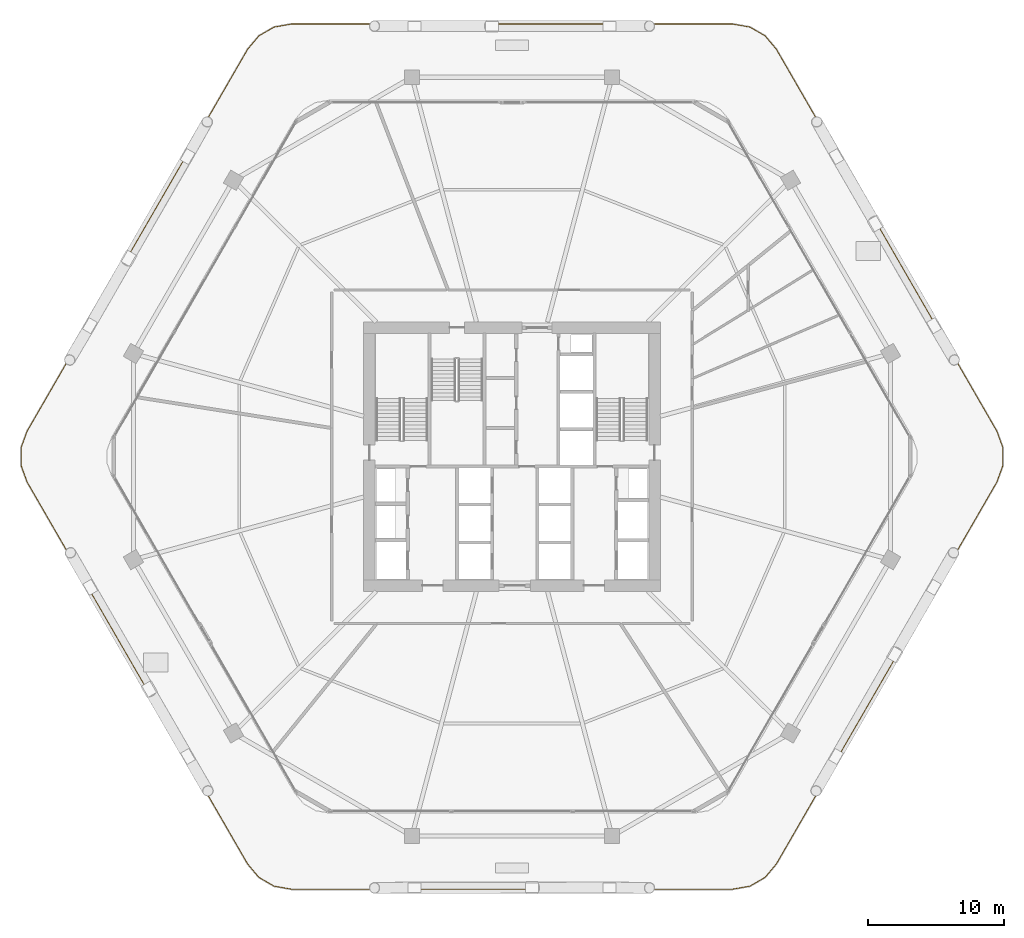
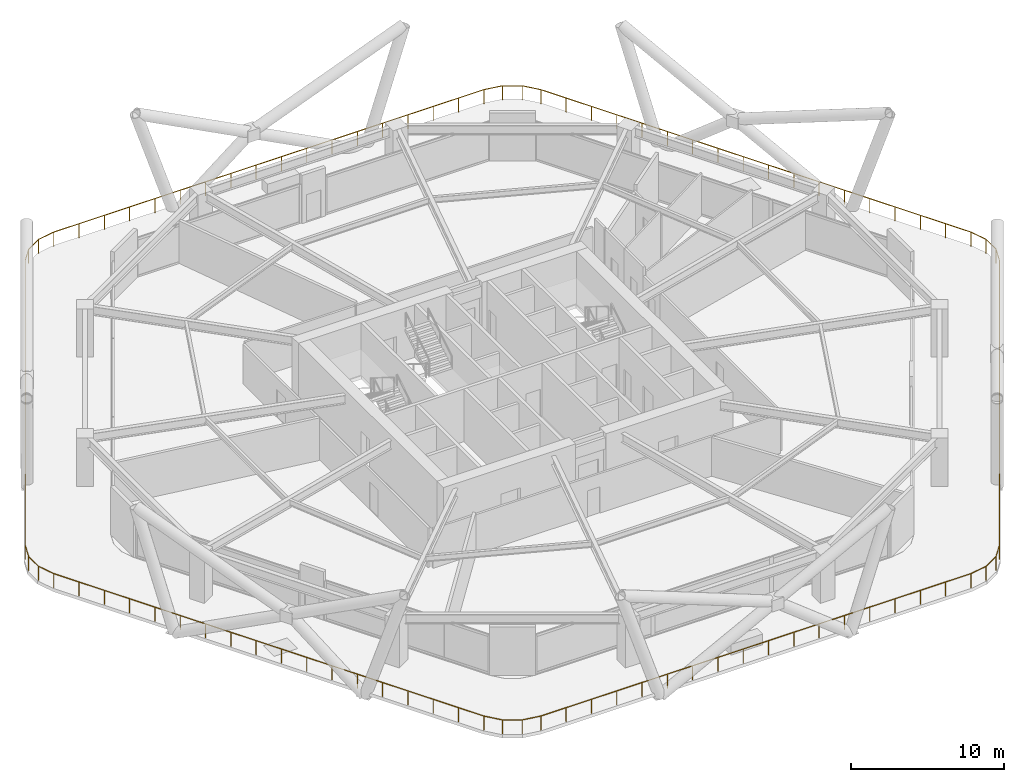
# One storey, part 27 of 28: 1 railing.
"""IFC4 building model written with IfcOpenShell, lengths in metres."""

from ifc_helpers import new_model, si_unit, direction, frame, origin, origin_2d, place, context, subcontext, project, spatial, rectangle, extrude, material, type_object, element, save


model = new_model("IFC4")

# Units and contexts
model_context = context("Model", 3, precision=1e-05, world=origin(), true_north=direction((0.0, 1.0)))
body_context = subcontext(model_context, "Body", "Model", "MODEL_VIEW")
ifc_project = project(units=[si_unit("LENGTHUNIT", "METRE"), si_unit("AREAUNIT", "SQUARE_METRE"), si_unit("VOLUMEUNIT", "CUBIC_METRE"), si_unit("PLANEANGLEUNIT", "RADIAN"), si_unit("MASSUNIT", "GRAM", prefix="KILO")], contexts=[model_context])

# Site, building, storey
site_placement = place(None, origin())
site = spatial("IfcSite", under=ifc_project, at=site_placement, CompositionType="ELEMENT")
building_placement = place(site_placement, origin())
building = spatial("IfcBuilding", under=site, at=building_placement, Name="Zuhravey Tower", CompositionType="ELEMENT")
storey_placement = place(building_placement, frame((0.0, 0.0, 83.39990234375)))
storey = spatial("IfcBuildingStorey", under=building, at=storey_placement, Name="L20", CompositionType="ELEMENT", Elevation=83.39990234375)

# Railing
ifc_material = material(Name="Stainless steel 316 and laminated glass", Category="steel")
railing_type = type_object("IfcRailingType", Name="Balcony & Terrace Guardrail 1150", PredefinedType="BALUSTRADE", material=ifc_material)
railing_placement = place(storey_placement, frame((71.72119140625, 30.1337890625, 0.0)))
element("IfcRailing", 1, at=railing_placement, inside=storey, type_object=railing_type, Name="L20 Sky-Garden Perimeter Guardrail GR1", PredefinedType="BALUSTRADE", context=body_context, shape_type="SweptSolid", body=[
    extrude(rectangle(XDim=0.048095703125, YDim=0.048095703125, at=origin_2d()), frame((-0.0009765625, -0.001708984375, 1.1259765625), z_axis=(-0.500003893723, -0.866023155731, 0.0), x_axis=(0.866023155731, -0.500003893723, 0.0)), (0.0, 0.0, 1.0), 32.485107421875),
    extrude(rectangle(XDim=0.048095703125, YDim=0.048095703125, at=origin_2d()), frame((-16.245849609375, -28.1376953125, 1.1259765625), z_axis=(-0.64275109358, -0.766075082287, 0.0), x_axis=(0.766075082287, -0.64275109358, 0.0)), (0.0, 0.0, 1.0), 1.294677734375),
    extrude(rectangle(XDim=0.048095703125, YDim=0.048095703125, at=origin_2d()), frame((-17.0810546875, -29.132080078125, 1.1259765625), z_axis=(-0.866012435707, -0.500022460696, 0.0), x_axis=(0.500022460696, -0.866012435707, 0.0)), (0.0, 0.0, 1.0), 1.287353515625),
    extrude(rectangle(XDim=0.048095703125, YDim=0.048095703125, at=origin_2d()), frame((-18.19970703125, -29.777099609375, 1.1259765625), z_axis=(-0.984832722441, -0.173506509413, 0.0), x_axis=(0.173506509413, -0.984832722441, 0.0)), (0.0, 0.0, 1.0), 1.294677734375),
    extrude(rectangle(XDim=0.048095703125, YDim=0.048095703125, at=origin_2d()), frame((-19.478759765625, -30.002197265625, 1.1259765625), z_axis=(-1.0, 0.0, 0.0), x_axis=(0.0, -1.0, 0.0)), (0.0, 0.0, 1.0), 32.48486328125),
    extrude(rectangle(XDim=0.048095703125, YDim=0.048095703125, at=origin_2d()), frame((-51.967529296875, -30.001953125, 1.1259765625), z_axis=(-0.984832722441, 0.173506509413, 0.0), x_axis=(-0.173506509413, -0.984832722441, 0.0)), (0.0, 0.0, 1.0), 1.294677734375),
    extrude(rectangle(XDim=0.048095703125, YDim=0.048095703125, at=origin_2d()), frame((-53.246337890625, -29.77587890625, 1.1259765625), z_axis=(-0.866012435707, 0.500022460696, 0.0), x_axis=(-0.500022460696, -0.866012435707, 0.0)), (0.0, 0.0, 1.0), 1.287353515625),
    extrude(rectangle(XDim=0.048095703125, YDim=0.048095703125, at=origin_2d()), frame((-54.3642578125, -29.129638671875, 1.1259765625), z_axis=(-0.64275109358, 0.766075082287, 0.0), x_axis=(-0.766075082287, -0.64275109358, 0.0)), (0.0, 0.0, 1.0), 1.294677734375),
    extrude(rectangle(XDim=0.048095703125, YDim=0.048095703125, at=origin_2d()), frame((-55.19873046875, -28.134521484375, 1.1259765625), z_axis=(-0.500003893723, 0.866023155731, 0.0), x_axis=(-0.866023155731, -0.500003893723, 0.0)), (0.0, 0.0, 1.0), 32.485107421875),
    extrude(rectangle(XDim=0.048095703125, YDim=0.048095703125, at=origin_2d()), frame((-71.443115234375, 0.001953125, 1.1259765625), z_axis=(-0.341939270434, 0.93972205217, 0.0), x_axis=(-0.93972205217, -0.341939270434, 0.0)), (0.0, 0.0, 1.0), 1.294677734375),
    extrude(rectangle(XDim=0.048095703125, YDim=0.048095703125, at=origin_2d()), frame((-71.886474609375, 1.222412109375, 1.1259765625), z_axis=(0.0, 1.0, 0.0), x_axis=(-1.0, 0.0, 0.0)), (0.0, 0.0, 1.0), 1.28759765625),
    extrude(rectangle(XDim=0.048095703125, YDim=0.048095703125, at=origin_2d()), frame((-71.8857421875, 2.513916015625, 1.1259765625), z_axis=(0.341939270434, 0.93972205217, 0.0), x_axis=(-0.93972205217, 0.341939270434, 0.0)), (0.0, 0.0, 1.0), 1.294677734375),
    extrude(rectangle(XDim=0.048095703125, YDim=0.048095703125, at=origin_2d()), frame((-71.44140625, 3.734130859375, 1.1259765625), z_axis=(0.500003893723, 0.866023155731, 0.0), x_axis=(-0.866023155731, 0.500003893723, 0.0)), (0.0, 0.0, 1.0), 32.485107421875),
    extrude(rectangle(XDim=0.048095703125, YDim=0.048095703125, at=origin_2d()), frame((-55.196533203125, 31.8701171875, 1.1259765625), z_axis=(0.64275109358, 0.766075082287, 0.0), x_axis=(-0.766075082287, 0.64275109358, 0.0)), (0.0, 0.0, 1.0), 1.294677734375),
    extrude(rectangle(XDim=0.048095703125, YDim=0.048095703125, at=origin_2d()), frame((-54.361328125, 32.864501953125, 1.1259765625), z_axis=(0.866012435707, 0.500022460696, 0.0), x_axis=(-0.500022460696, 0.866012435707, 0.0)), (0.0, 0.0, 1.0), 1.287353515625),
    extrude(rectangle(XDim=0.048095703125, YDim=0.048095703125, at=origin_2d()), frame((-53.24267578125, 33.509521484375, 1.1259765625), z_axis=(0.984832722441, 0.173506509413, 0.0), x_axis=(-0.173506509413, 0.984832722441, 0.0)), (0.0, 0.0, 1.0), 1.294677734375),
    extrude(rectangle(XDim=0.048095703125, YDim=0.048095703125, at=origin_2d()), frame((-51.963623046875, 33.734619140625, 1.1259765625), z_axis=(1.0, 0.0, 0.0), x_axis=(0.0, 1.0, 0.0)), (0.0, 0.0, 1.0), 32.48486328125),
    extrude(rectangle(XDim=0.048095703125, YDim=0.048095703125, at=origin_2d()), frame((-19.474853515625, 33.734375, 1.1259765625), z_axis=(0.984832722441, -0.173506509413, 0.0), x_axis=(0.173506509413, 0.984832722441, 0.0)), (0.0, 0.0, 1.0), 1.294677734375),
    extrude(rectangle(XDim=0.048095703125, YDim=0.048095703125, at=origin_2d()), frame((-18.196044921875, 33.50830078125, 1.1259765625), z_axis=(0.866012435707, -0.500022460696, 0.0), x_axis=(0.500022460696, 0.866012435707, 0.0)), (0.0, 0.0, 1.0), 1.287353515625),
    extrude(rectangle(XDim=0.048095703125, YDim=0.048095703125, at=origin_2d()), frame((-17.078125, 32.862060546875, 1.1259765625), z_axis=(0.64275109358, -0.766075082287, 0.0), x_axis=(0.766075082287, 0.64275109358, 0.0)), (0.0, 0.0, 1.0), 1.294677734375),
    extrude(rectangle(XDim=0.048095703125, YDim=0.048095703125, at=origin_2d()), frame((-16.24365234375, 31.866943359375, 1.1259765625), z_axis=(0.500003893723, -0.866023155731, 0.0), x_axis=(0.866023155731, 0.500003893723, 0.0)), (0.0, 0.0, 1.0), 32.485107421875),
    extrude(rectangle(XDim=0.048095703125, YDim=0.048095703125, at=origin_2d()), frame((0.000732421875, 3.73046875, 1.1259765625), z_axis=(0.341939270434, -0.93972205217, 0.0), x_axis=(0.93972205217, 0.341939270434, 0.0)), (0.0, 0.0, 1.0), 1.294677734375),
    extrude(rectangle(XDim=0.048095703125, YDim=0.048095703125, at=origin_2d()), frame((0.444091796875, 2.510009765625, 1.1259765625), z_axis=(0.0, -1.0, 0.0), x_axis=(1.0, 0.0, 0.0)), (0.0, 0.0, 1.0), 1.28759765625),
    extrude(rectangle(XDim=0.048095703125, YDim=0.048095703125, at=origin_2d()), frame((0.443359375, 1.218505859375, 1.1259765625), z_axis=(-0.341939270434, -0.93972205217, 0.0), x_axis=(0.93972205217, -0.341939270434, 0.0)), (0.0, 0.0, 1.0), 1.294677734375),
    extrude(rectangle(XDim=0.0419921875, YDim=0.0419921875, at=origin_2d()), origin(), (0.0, 0.0, 1.0), 1.099853515625),
    extrude(rectangle(XDim=0.0419921875, YDim=0.0419921875, at=origin_2d()), frame((-0.95556640625, -1.655029296875, 0.0)), (0.0, 0.0, 1.0), 1.099853515625),
    extrude(rectangle(XDim=0.0419921875, YDim=0.0419921875, at=origin_2d()), frame((-1.9111328125, -3.31005859375, 0.0)), (0.0, 0.0, 1.0), 1.099853515625),
    extrude(rectangle(XDim=0.0419921875, YDim=0.0419921875, at=origin_2d()), frame((-2.86669921875, -4.96533203125, 0.0)), (0.0, 0.0, 1.0), 1.099853515625),
    extrude(rectangle(XDim=0.0419921875, YDim=0.0419921875, at=origin_2d()), frame((-3.822265625, -6.620361328125, 0.0)), (0.0, 0.0, 1.0), 1.099853515625),
    extrude(rectangle(XDim=0.0419921875, YDim=0.0419921875, at=origin_2d()), frame((-4.77783203125, -8.275390625, 0.0)), (0.0, 0.0, 1.0), 1.099853515625),
    extrude(rectangle(XDim=0.0419921875, YDim=0.0419921875, at=origin_2d()), frame((-5.7333984375, -9.930419921875, 0.0)), (0.0, 0.0, 1.0), 1.099853515625),
    extrude(rectangle(XDim=0.0419921875, YDim=0.0419921875, at=origin_2d()), frame((-6.68896484375, -11.58544921875, 0.0)), (0.0, 0.0, 1.0), 1.099853515625),
    extrude(rectangle(XDim=0.0419921875, YDim=0.0419921875, at=origin_2d()), frame((-7.64453125, -13.240478515625, 0.0)), (0.0, 0.0, 1.0), 1.099853515625),
    extrude(rectangle(XDim=0.0419921875, YDim=0.0419921875, at=origin_2d()), frame((-8.60009765625, -14.895751953125, 0.0)), (0.0, 0.0, 1.0), 1.099853515625),
    extrude(rectangle(XDim=0.0419921875, YDim=0.0419921875, at=origin_2d()), frame((-9.5556640625, -16.55078125, 0.0)), (0.0, 0.0, 1.0), 1.099853515625),
    extrude(rectangle(XDim=0.0419921875, YDim=0.0419921875, at=origin_2d()), frame((-10.51123046875, -18.205810546875, 0.0)), (0.0, 0.0, 1.0), 1.099853515625),
    extrude(rectangle(XDim=0.0419921875, YDim=0.0419921875, at=origin_2d()), frame((-11.466796875, -19.86083984375, 0.0)), (0.0, 0.0, 1.0), 1.099853515625),
    extrude(rectangle(XDim=0.0419921875, YDim=0.0419921875, at=origin_2d()), frame((-12.42236328125, -21.515869140625, 0.0)), (0.0, 0.0, 1.0), 1.099853515625),
    extrude(rectangle(XDim=0.0419921875, YDim=0.0419921875, at=origin_2d()), frame((-13.3779296875, -23.1708984375, 0.0)), (0.0, 0.0, 1.0), 1.099853515625),
    extrude(rectangle(XDim=0.0419921875, YDim=0.0419921875, at=origin_2d()), frame((-14.33349609375, -24.826171875, 0.0)), (0.0, 0.0, 1.0), 1.099853515625),
    extrude(rectangle(XDim=0.0419921875, YDim=0.0419921875, at=origin_2d()), frame((-15.2890625, -26.481201171875, 0.0)), (0.0, 0.0, 1.0), 1.099853515625),
    extrude(rectangle(XDim=0.0419921875, YDim=0.0419921875, at=origin_2d()), frame((-16.24462890625, -28.13623046875, 0.0)), (0.0, 0.0, 1.0), 1.099853515625),
    extrude(rectangle(XDim=0.0419921875, YDim=0.0419921875, at=origin_2d()), frame((-17.079345703125, -29.131103515625, 0.0)), (0.0, 0.0, 1.0), 1.099853515625),
    extrude(rectangle(XDim=0.0419921875, YDim=0.0419921875, at=origin_2d()), frame((-18.19775390625, -29.77685546875, 0.0)), (0.0, 0.0, 1.0), 1.099853515625),
    extrude(rectangle(XDim=0.0419921875, YDim=0.0419921875, at=origin_2d()), frame((-19.476806640625, -30.002197265625, 0.0)), (0.0, 0.0, 1.0), 1.099853515625),
    extrude(rectangle(XDim=0.0419921875, YDim=0.0419921875, at=origin_2d()), frame((-21.387939453125, -30.002197265625, 0.0)), (0.0, 0.0, 1.0), 1.099853515625),
    extrude(rectangle(XDim=0.0419921875, YDim=0.0419921875, at=origin_2d()), frame((-23.299072265625, -30.002197265625, 0.0)), (0.0, 0.0, 1.0), 1.099853515625),
    extrude(rectangle(XDim=0.0419921875, YDim=0.0419921875, at=origin_2d()), frame((-25.210205078125, -30.002197265625, 0.0)), (0.0, 0.0, 1.0), 1.099853515625),
    extrude(rectangle(XDim=0.0419921875, YDim=0.0419921875, at=origin_2d()), frame((-27.121337890625, -30.002197265625, 0.0)), (0.0, 0.0, 1.0), 1.099853515625),
    extrude(rectangle(XDim=0.0419921875, YDim=0.0419921875, at=origin_2d()), frame((-29.0322265625, -30.002197265625, 0.0)), (0.0, 0.0, 1.0), 1.099853515625),
    extrude(rectangle(XDim=0.0419921875, YDim=0.0419921875, at=origin_2d()), frame((-30.943359375, -30.002197265625, 0.0)), (0.0, 0.0, 1.0), 1.099853515625),
    extrude(rectangle(XDim=0.0419921875, YDim=0.0419921875, at=origin_2d()), frame((-32.8544921875, -30.002197265625, 0.0)), (0.0, 0.0, 1.0), 1.099853515625),
    extrude(rectangle(XDim=0.0419921875, YDim=0.0419921875, at=origin_2d()), frame((-34.765625, -30.002197265625, 0.0)), (0.0, 0.0, 1.0), 1.099853515625),
    extrude(rectangle(XDim=0.0419921875, YDim=0.0419921875, at=origin_2d()), frame((-36.6767578125, -30.002197265625, 0.0)), (0.0, 0.0, 1.0), 1.099853515625),
    extrude(rectangle(XDim=0.0419921875, YDim=0.0419921875, at=origin_2d()), frame((-38.587890625, -30.002197265625, 0.0)), (0.0, 0.0, 1.0), 1.099853515625),
    extrude(rectangle(XDim=0.0419921875, YDim=0.0419921875, at=origin_2d()), frame((-40.4990234375, -30.002197265625, 0.0)), (0.0, 0.0, 1.0), 1.099853515625),
    extrude(rectangle(XDim=0.0419921875, YDim=0.0419921875, at=origin_2d()), frame((-42.41015625, -30.002197265625, 0.0)), (0.0, 0.0, 1.0), 1.099853515625),
    extrude(rectangle(XDim=0.0419921875, YDim=0.0419921875, at=origin_2d()), frame((-44.321044921875, -30.002197265625, 0.0)), (0.0, 0.0, 1.0), 1.099853515625),
    extrude(rectangle(XDim=0.0419921875, YDim=0.0419921875, at=origin_2d()), frame((-46.232177734375, -30.002197265625, 0.0)), (0.0, 0.0, 1.0), 1.099853515625),
    extrude(rectangle(XDim=0.0419921875, YDim=0.0419921875, at=origin_2d()), frame((-48.143310546875, -30.002197265625, 0.0)), (0.0, 0.0, 1.0), 1.099853515625),
    extrude(rectangle(XDim=0.0419921875, YDim=0.0419921875, at=origin_2d()), frame((-50.054443359375, -30.002197265625, 0.0)), (0.0, 0.0, 1.0), 1.099853515625),
    extrude(rectangle(XDim=0.0419921875, YDim=0.0419921875, at=origin_2d()), frame((-51.965576171875, -30.002197265625, 0.0)), (0.0, 0.0, 1.0), 1.099853515625),
    extrude(rectangle(XDim=0.0419921875, YDim=0.0419921875, at=origin_2d()), frame((-53.24462890625, -29.77685546875, 0.0)), (0.0, 0.0, 1.0), 1.099853515625),
    extrude(rectangle(XDim=0.0419921875, YDim=0.0419921875, at=origin_2d()), frame((-54.363037109375, -29.131103515625, 0.0)), (0.0, 0.0, 1.0), 1.099853515625),
    extrude(rectangle(XDim=0.0419921875, YDim=0.0419921875, at=origin_2d()), frame((-55.19775390625, -28.13623046875, 0.0)), (0.0, 0.0, 1.0), 1.099853515625),
    extrude(rectangle(XDim=0.0419921875, YDim=0.0419921875, at=origin_2d()), frame((-56.1533203125, -26.481201171875, 0.0)), (0.0, 0.0, 1.0), 1.099853515625),
    extrude(rectangle(XDim=0.0419921875, YDim=0.0419921875, at=origin_2d()), frame((-57.10888671875, -24.826171875, 0.0)), (0.0, 0.0, 1.0), 1.099853515625),
    extrude(rectangle(XDim=0.0419921875, YDim=0.0419921875, at=origin_2d()), frame((-58.064453125, -23.1708984375, 0.0)), (0.0, 0.0, 1.0), 1.099853515625),
    extrude(rectangle(XDim=0.0419921875, YDim=0.0419921875, at=origin_2d()), frame((-59.02001953125, -21.515869140625, 0.0)), (0.0, 0.0, 1.0), 1.099853515625),
    extrude(rectangle(XDim=0.0419921875, YDim=0.0419921875, at=origin_2d()), frame((-59.9755859375, -19.86083984375, 0.0)), (0.0, 0.0, 1.0), 1.099853515625),
    extrude(rectangle(XDim=0.0419921875, YDim=0.0419921875, at=origin_2d()), frame((-60.93115234375, -18.205810546875, 0.0)), (0.0, 0.0, 1.0), 1.099853515625),
    extrude(rectangle(XDim=0.0419921875, YDim=0.0419921875, at=origin_2d()), frame((-61.88671875, -16.55078125, 0.0)), (0.0, 0.0, 1.0), 1.099853515625),
    extrude(rectangle(XDim=0.0419921875, YDim=0.0419921875, at=origin_2d()), frame((-62.84228515625, -14.895751953125, 0.0)), (0.0, 0.0, 1.0), 1.099853515625),
    extrude(rectangle(XDim=0.0419921875, YDim=0.0419921875, at=origin_2d()), frame((-63.7978515625, -13.240478515625, 0.0)), (0.0, 0.0, 1.0), 1.099853515625),
    extrude(rectangle(XDim=0.0419921875, YDim=0.0419921875, at=origin_2d()), frame((-64.75341796875, -11.58544921875, 0.0)), (0.0, 0.0, 1.0), 1.099853515625),
    extrude(rectangle(XDim=0.0419921875, YDim=0.0419921875, at=origin_2d()), frame((-65.708984375, -9.930419921875, 0.0)), (0.0, 0.0, 1.0), 1.099853515625),
    extrude(rectangle(XDim=0.0419921875, YDim=0.0419921875, at=origin_2d()), frame((-66.66455078125, -8.275390625, 0.0)), (0.0, 0.0, 1.0), 1.099853515625),
    extrude(rectangle(XDim=0.0419921875, YDim=0.0419921875, at=origin_2d()), frame((-67.6201171875, -6.620361328125, 0.0)), (0.0, 0.0, 1.0), 1.099853515625),
    extrude(rectangle(XDim=0.0419921875, YDim=0.0419921875, at=origin_2d()), frame((-68.57568359375, -4.96533203125, 0.0)), (0.0, 0.0, 1.0), 1.099853515625),
    extrude(rectangle(XDim=0.0419921875, YDim=0.0419921875, at=origin_2d()), frame((-69.53125, -3.31005859375, 0.0)), (0.0, 0.0, 1.0), 1.099853515625),
    extrude(rectangle(XDim=0.0419921875, YDim=0.0419921875, at=origin_2d()), frame((-70.48681640625, -1.655029296875, 0.0)), (0.0, 0.0, 1.0), 1.099853515625),
    extrude(rectangle(XDim=0.0419921875, YDim=0.0419921875, at=origin_2d()), frame((-71.4423828125, 0.0, 0.0)), (0.0, 0.0, 1.0), 1.099853515625),
    extrude(rectangle(XDim=0.0419921875, YDim=0.0419921875, at=origin_2d()), frame((-71.886474609375, 1.220458984375, 0.0)), (0.0, 0.0, 1.0), 1.099853515625),
    extrude(rectangle(XDim=0.0419921875, YDim=0.0419921875, at=origin_2d()), frame((-71.886474609375, 2.511962890625, 0.0)), (0.0, 0.0, 1.0), 1.099853515625),
    extrude(rectangle(XDim=0.0419921875, YDim=0.0419921875, at=origin_2d()), frame((-71.4423828125, 3.732421875, 0.0)), (0.0, 0.0, 1.0), 1.099853515625),
    extrude(rectangle(XDim=0.0419921875, YDim=0.0419921875, at=origin_2d()), frame((-70.48681640625, 5.387451171875, 0.0)), (0.0, 0.0, 1.0), 1.099853515625),
    extrude(rectangle(XDim=0.0419921875, YDim=0.0419921875, at=origin_2d()), frame((-69.53125, 7.04248046875, 0.0)), (0.0, 0.0, 1.0), 1.099853515625),
    extrude(rectangle(XDim=0.0419921875, YDim=0.0419921875, at=origin_2d()), frame((-68.57568359375, 8.69775390625, 0.0)), (0.0, 0.0, 1.0), 1.099853515625),
    extrude(rectangle(XDim=0.0419921875, YDim=0.0419921875, at=origin_2d()), frame((-67.6201171875, 10.352783203125, 0.0)), (0.0, 0.0, 1.0), 1.099853515625),
    extrude(rectangle(XDim=0.0419921875, YDim=0.0419921875, at=origin_2d()), frame((-66.66455078125, 12.0078125, 0.0)), (0.0, 0.0, 1.0), 1.099853515625),
    extrude(rectangle(XDim=0.0419921875, YDim=0.0419921875, at=origin_2d()), frame((-65.708984375, 13.662841796875, 0.0)), (0.0, 0.0, 1.0), 1.099853515625),
    extrude(rectangle(XDim=0.0419921875, YDim=0.0419921875, at=origin_2d()), frame((-64.75341796875, 15.31787109375, 0.0)), (0.0, 0.0, 1.0), 1.099853515625),
    extrude(rectangle(XDim=0.0419921875, YDim=0.0419921875, at=origin_2d()), frame((-63.7978515625, 16.972900390625, 0.0)), (0.0, 0.0, 1.0), 1.099853515625),
    extrude(rectangle(XDim=0.0419921875, YDim=0.0419921875, at=origin_2d()), frame((-62.84228515625, 18.628173828125, 0.0)), (0.0, 0.0, 1.0), 1.099853515625),
    extrude(rectangle(XDim=0.0419921875, YDim=0.0419921875, at=origin_2d()), frame((-61.88671875, 20.283203125, 0.0)), (0.0, 0.0, 1.0), 1.099853515625),
    extrude(rectangle(XDim=0.0419921875, YDim=0.0419921875, at=origin_2d()), frame((-60.93115234375, 21.938232421875, 0.0)), (0.0, 0.0, 1.0), 1.099853515625),
    extrude(rectangle(XDim=0.0419921875, YDim=0.0419921875, at=origin_2d()), frame((-59.9755859375, 23.59326171875, 0.0)), (0.0, 0.0, 1.0), 1.099853515625),
    extrude(rectangle(XDim=0.0419921875, YDim=0.0419921875, at=origin_2d()), frame((-59.02001953125, 25.248291015625, 0.0)), (0.0, 0.0, 1.0), 1.099853515625),
    extrude(rectangle(XDim=0.0419921875, YDim=0.0419921875, at=origin_2d()), frame((-58.064453125, 26.9033203125, 0.0)), (0.0, 0.0, 1.0), 1.099853515625),
    extrude(rectangle(XDim=0.0419921875, YDim=0.0419921875, at=origin_2d()), frame((-57.10888671875, 28.55859375, 0.0)), (0.0, 0.0, 1.0), 1.099853515625),
    extrude(rectangle(XDim=0.0419921875, YDim=0.0419921875, at=origin_2d()), frame((-56.1533203125, 30.213623046875, 0.0)), (0.0, 0.0, 1.0), 1.099853515625),
    extrude(rectangle(XDim=0.0419921875, YDim=0.0419921875, at=origin_2d()), frame((-55.19775390625, 31.86865234375, 0.0)), (0.0, 0.0, 1.0), 1.099853515625),
    extrude(rectangle(XDim=0.0419921875, YDim=0.0419921875, at=origin_2d()), frame((-54.363037109375, 32.863525390625, 0.0)), (0.0, 0.0, 1.0), 1.099853515625),
    extrude(rectangle(XDim=0.0419921875, YDim=0.0419921875, at=origin_2d()), frame((-53.24462890625, 33.50927734375, 0.0)), (0.0, 0.0, 1.0), 1.099853515625),
    extrude(rectangle(XDim=0.0419921875, YDim=0.0419921875, at=origin_2d()), frame((-51.965576171875, 33.734619140625, 0.0)), (0.0, 0.0, 1.0), 1.099853515625),
    extrude(rectangle(XDim=0.0419921875, YDim=0.0419921875, at=origin_2d()), frame((-50.054443359375, 33.734619140625, 0.0)), (0.0, 0.0, 1.0), 1.099853515625),
    extrude(rectangle(XDim=0.0419921875, YDim=0.0419921875, at=origin_2d()), frame((-48.143310546875, 33.734619140625, 0.0)), (0.0, 0.0, 1.0), 1.099853515625),
    extrude(rectangle(XDim=0.0419921875, YDim=0.0419921875, at=origin_2d()), frame((-46.232177734375, 33.734619140625, 0.0)), (0.0, 0.0, 1.0), 1.099853515625),
    extrude(rectangle(XDim=0.0419921875, YDim=0.0419921875, at=origin_2d()), frame((-44.321044921875, 33.734619140625, 0.0)), (0.0, 0.0, 1.0), 1.099853515625),
    extrude(rectangle(XDim=0.0419921875, YDim=0.0419921875, at=origin_2d()), frame((-42.41015625, 33.734619140625, 0.0)), (0.0, 0.0, 1.0), 1.099853515625),
    extrude(rectangle(XDim=0.0419921875, YDim=0.0419921875, at=origin_2d()), frame((-40.4990234375, 33.734619140625, 0.0)), (0.0, 0.0, 1.0), 1.099853515625),
    extrude(rectangle(XDim=0.0419921875, YDim=0.0419921875, at=origin_2d()), frame((-38.587890625, 33.734619140625, 0.0)), (0.0, 0.0, 1.0), 1.099853515625),
    extrude(rectangle(XDim=0.0419921875, YDim=0.0419921875, at=origin_2d()), frame((-36.6767578125, 33.734619140625, 0.0)), (0.0, 0.0, 1.0), 1.099853515625),
    extrude(rectangle(XDim=0.0419921875, YDim=0.0419921875, at=origin_2d()), frame((-34.765625, 33.734619140625, 0.0)), (0.0, 0.0, 1.0), 1.099853515625),
    extrude(rectangle(XDim=0.0419921875, YDim=0.0419921875, at=origin_2d()), frame((-32.8544921875, 33.734619140625, 0.0)), (0.0, 0.0, 1.0), 1.099853515625),
    extrude(rectangle(XDim=0.0419921875, YDim=0.0419921875, at=origin_2d()), frame((-30.943359375, 33.734619140625, 0.0)), (0.0, 0.0, 1.0), 1.099853515625),
    extrude(rectangle(XDim=0.0419921875, YDim=0.0419921875, at=origin_2d()), frame((-29.0322265625, 33.734619140625, 0.0)), (0.0, 0.0, 1.0), 1.099853515625),
    extrude(rectangle(XDim=0.0419921875, YDim=0.0419921875, at=origin_2d()), frame((-27.121337890625, 33.734619140625, 0.0)), (0.0, 0.0, 1.0), 1.099853515625),
    extrude(rectangle(XDim=0.0419921875, YDim=0.0419921875, at=origin_2d()), frame((-25.210205078125, 33.734619140625, 0.0)), (0.0, 0.0, 1.0), 1.099853515625),
    extrude(rectangle(XDim=0.0419921875, YDim=0.0419921875, at=origin_2d()), frame((-23.299072265625, 33.734619140625, 0.0)), (0.0, 0.0, 1.0), 1.099853515625),
    extrude(rectangle(XDim=0.0419921875, YDim=0.0419921875, at=origin_2d()), frame((-21.387939453125, 33.734619140625, 0.0)), (0.0, 0.0, 1.0), 1.099853515625),
    extrude(rectangle(XDim=0.0419921875, YDim=0.0419921875, at=origin_2d()), frame((-19.476806640625, 33.734619140625, 0.0)), (0.0, 0.0, 1.0), 1.099853515625),
    extrude(rectangle(XDim=0.0419921875, YDim=0.0419921875, at=origin_2d()), frame((-18.19775390625, 33.50927734375, 0.0)), (0.0, 0.0, 1.0), 1.099853515625),
    extrude(rectangle(XDim=0.0419921875, YDim=0.0419921875, at=origin_2d()), frame((-17.079345703125, 32.863525390625, 0.0)), (0.0, 0.0, 1.0), 1.099853515625),
    extrude(rectangle(XDim=0.0419921875, YDim=0.0419921875, at=origin_2d()), frame((-16.24462890625, 31.86865234375, 0.0)), (0.0, 0.0, 1.0), 1.099853515625),
    extrude(rectangle(XDim=0.0419921875, YDim=0.0419921875, at=origin_2d()), frame((-15.2890625, 30.213623046875, 0.0)), (0.0, 0.0, 1.0), 1.099853515625),
    extrude(rectangle(XDim=0.0419921875, YDim=0.0419921875, at=origin_2d()), frame((-14.33349609375, 28.55859375, 0.0)), (0.0, 0.0, 1.0), 1.099853515625),
    extrude(rectangle(XDim=0.0419921875, YDim=0.0419921875, at=origin_2d()), frame((-13.3779296875, 26.9033203125, 0.0)), (0.0, 0.0, 1.0), 1.099853515625),
    extrude(rectangle(XDim=0.0419921875, YDim=0.0419921875, at=origin_2d()), frame((-12.42236328125, 25.248291015625, 0.0)), (0.0, 0.0, 1.0), 1.099853515625),
    extrude(rectangle(XDim=0.0419921875, YDim=0.0419921875, at=origin_2d()), frame((-11.466796875, 23.59326171875, 0.0)), (0.0, 0.0, 1.0), 1.099853515625),
    extrude(rectangle(XDim=0.0419921875, YDim=0.0419921875, at=origin_2d()), frame((-10.51123046875, 21.938232421875, 0.0)), (0.0, 0.0, 1.0), 1.099853515625),
    extrude(rectangle(XDim=0.0419921875, YDim=0.0419921875, at=origin_2d()), frame((-9.5556640625, 20.283203125, 0.0)), (0.0, 0.0, 1.0), 1.099853515625),
    extrude(rectangle(XDim=0.0419921875, YDim=0.0419921875, at=origin_2d()), frame((-8.60009765625, 18.628173828125, 0.0)), (0.0, 0.0, 1.0), 1.099853515625),
    extrude(rectangle(XDim=0.0419921875, YDim=0.0419921875, at=origin_2d()), frame((-7.64453125, 16.972900390625, 0.0)), (0.0, 0.0, 1.0), 1.099853515625),
    extrude(rectangle(XDim=0.0419921875, YDim=0.0419921875, at=origin_2d()), frame((-6.68896484375, 15.31787109375, 0.0)), (0.0, 0.0, 1.0), 1.099853515625),
    extrude(rectangle(XDim=0.0419921875, YDim=0.0419921875, at=origin_2d()), frame((-5.7333984375, 13.662841796875, 0.0)), (0.0, 0.0, 1.0), 1.099853515625),
    extrude(rectangle(XDim=0.0419921875, YDim=0.0419921875, at=origin_2d()), frame((-4.77783203125, 12.0078125, 0.0)), (0.0, 0.0, 1.0), 1.099853515625),
    extrude(rectangle(XDim=0.0419921875, YDim=0.0419921875, at=origin_2d()), frame((-3.822265625, 10.352783203125, 0.0)), (0.0, 0.0, 1.0), 1.099853515625),
    extrude(rectangle(XDim=0.0419921875, YDim=0.0419921875, at=origin_2d()), frame((-2.86669921875, 8.69775390625, 0.0)), (0.0, 0.0, 1.0), 1.099853515625),
    extrude(rectangle(XDim=0.0419921875, YDim=0.0419921875, at=origin_2d()), frame((-1.9111328125, 7.04248046875, 0.0)), (0.0, 0.0, 1.0), 1.099853515625),
    extrude(rectangle(XDim=0.0419921875, YDim=0.0419921875, at=origin_2d()), frame((-0.95556640625, 5.387451171875, 0.0)), (0.0, 0.0, 1.0), 1.099853515625),
    extrude(rectangle(XDim=0.0419921875, YDim=0.0419921875, at=origin_2d()), frame((0.0, 3.732421875, 0.0)), (0.0, 0.0, 1.0), 1.099853515625),
    extrude(rectangle(XDim=0.0419921875, YDim=0.0419921875, at=origin_2d()), frame((0.444091796875, 2.511962890625, 0.0)), (0.0, 0.0, 1.0), 1.099853515625),
    extrude(rectangle(XDim=0.0419921875, YDim=0.0419921875, at=origin_2d()), frame((0.444091796875, 1.220458984375, 0.0)), (0.0, 0.0, 1.0), 1.099853515625),
])

save(model, "model.ifc")
